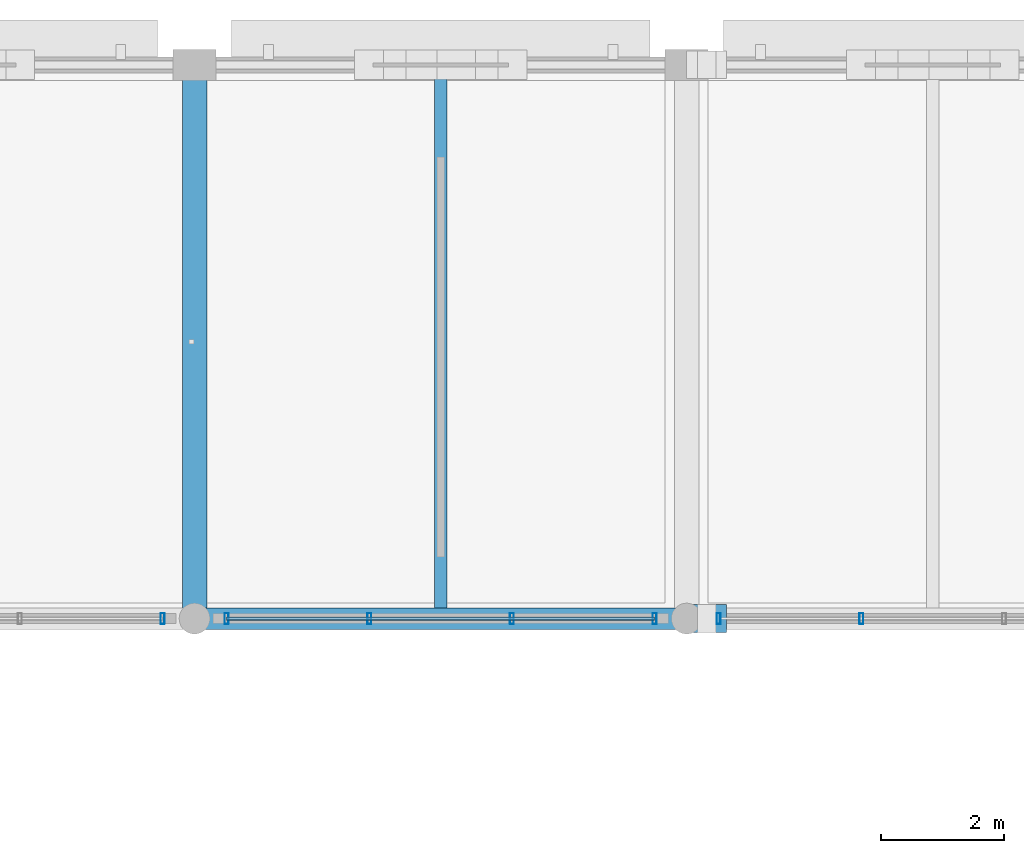
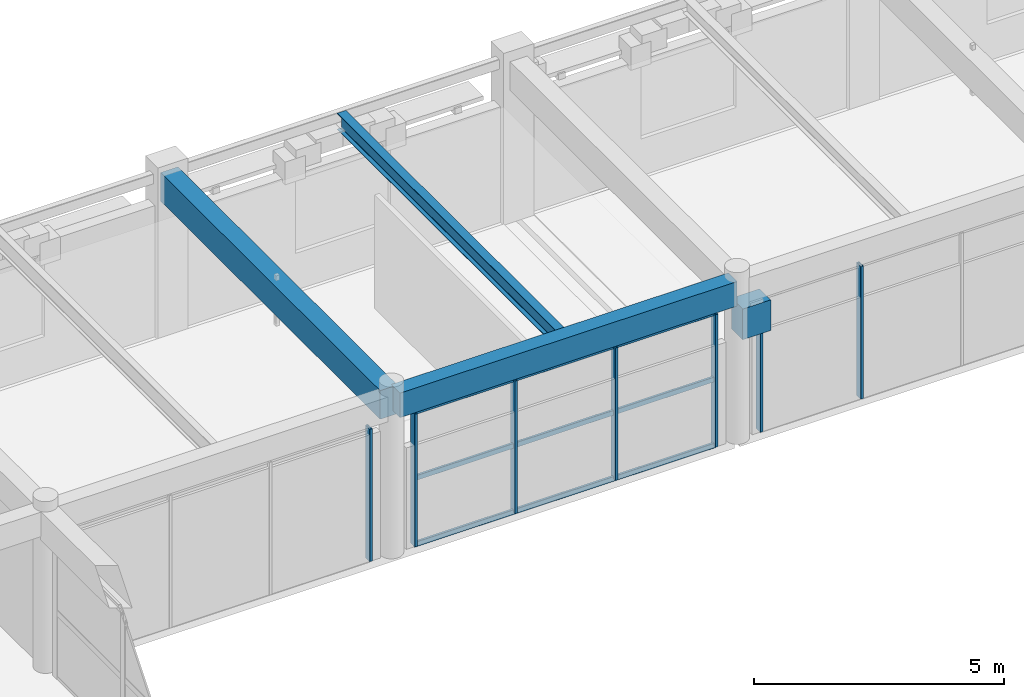
# One storey, part 57 of 126: 10 members, 4 beams, 3 elements without a shape of their own.
"""IFC4 building model written with IfcOpenShell, lengths in metres."""

from ifc_helpers import new_model, si_unit, direction, frame, origin, origin_2d, place, context, subcontext, project, spatial, rectangle, hollow_rectangle, i_section, extrude, material, material_profile, profile_set, type_object, element, aggregate, save


model = new_model("IFC4")

# Units and contexts
model_context = context("Model", 3, precision=1e-05, world=origin(), true_north=direction((0.0, 1.0)))
body_context = subcontext(model_context, "Body", "Model", "MODEL_VIEW")
ifc_project = project(units=[si_unit("LENGTHUNIT", "METRE"), si_unit("AREAUNIT", "SQUARE_METRE"), si_unit("VOLUMEUNIT", "CUBIC_METRE"), si_unit("PLANEANGLEUNIT", "RADIAN"), si_unit("MASSUNIT", "GRAM", prefix="KILO")], contexts=[model_context])

# Site, building, storey
site_placement = place(None, origin())
site = spatial("IfcSite", under=ifc_project, at=site_placement, CompositionType="ELEMENT")
building_placement = place(site_placement, origin())
building = spatial("IfcBuilding", under=site, at=building_placement, Name="Varnabhumi Central Station", CompositionType="ELEMENT")
storey_placement = place(building_placement, frame((0.0, 0.0, 16.199951171875)))
storey = spatial("IfcBuildingStorey", under=building, at=storey_placement, Name="L03", CompositionType="ELEMENT", Elevation=16.199951171875)

# Beams
ifc_material_1 = material(Name="Concrete M40", Category="concrete")
ifc_material_profile_1 = material_profile(ifc_material_1, rectangle(XDim=0.35009765625, YDim=0.60009765625, at=origin_2d()), Name="Concrete M40", Category="concrete")
ifc_profile_set_1 = profile_set([ifc_material_profile_1], Name="Concrete M40")
beam_type_1 = type_object("IfcBeamType", Name="BM-RC-350x600", PredefinedType="BEAM", material=ifc_profile_set_1)
beam_1_placement = place(storey_placement, frame((56.10009765625, 107.0, 3.650146484375), z_axis=(1.0, 0.0, 0.0), x_axis=(0.0, 1.0, 0.0)))
element("IfcBeam", 1, at=beam_1_placement, inside=storey, type_object=beam_type_1, Name="Beam L03-N:8-9", PredefinedType="BEAM", context=body_context, shape_type="SweptSolid", body=[
    extrude(rectangle(XDim=0.35009765625, YDim=0.60009765625, at=origin_2d()), origin(), (0.0, 0.0, 1.0), 7.7998046875),
])
ifc_material_profile_2 = material_profile(ifc_material_1, rectangle(XDim=0.449951171875, YDim=0.75, at=origin_2d()), Name="Concrete M40", Category="concrete")
ifc_profile_set_2 = profile_set([ifc_material_profile_2], Name="Concrete M40")
beam_type_2 = type_object("IfcBeamType", Name="BM-RC-450x750", PredefinedType="BEAM", material=ifc_profile_set_2)
beam_2_placement = place(storey_placement, frame((64.0, 107.0, 2.89501953125), z_axis=(1.0, 0.0, 0.0), x_axis=(0.0, 1.0, 0.0)))
element("IfcBeam", 2, at=beam_2_placement, inside=storey, type_object=beam_type_2, Name="Movement Joint 650mm Corbel Seat L03-N-9", PredefinedType="BEAM", context=body_context, shape_type="SweptSolid", body=[
    extrude(rectangle(XDim=0.449951171875, YDim=0.75, at=origin_2d()), origin(), (0.0, 0.0, 1.0), 0.64990234375),
])
ifc_material_profile_3 = material_profile(ifc_material_1, rectangle(XDim=0.39990234375, YDim=0.699951171875, at=origin_2d()), Name="Concrete M40", Category="concrete")
ifc_profile_set_3 = profile_set([ifc_material_profile_3], Name="Concrete M40")
beam_type_3 = type_object("IfcBeamType", Name="BM-RC-700x400", PredefinedType="BEAM", material=ifc_profile_set_3)
beam_3_placement = place(storey_placement, frame((56.0, 107.10009765625, 3.60009765625), z_axis=(0.0, 1.0, 0.0), x_axis=(-1.0, 0.0, 0.0)))
element("IfcBeam", 3, at=beam_3_placement, inside=storey, type_object=beam_type_3, Name="Beam L03-8:N-P", PredefinedType="BEAM", context=body_context, shape_type="SweptSolid", body=[
    extrude(rectangle(XDim=0.39990234375, YDim=0.699951171875, at=origin_2d()), origin(), (0.0, 0.0, 1.0), 8.7998046875),
])
ifc_material_2 = material(Name="Structural steel E350", Category="steel")
ifc_material_profile_4 = material_profile(ifc_material_2, i_section(OverallWidth=0.199951171875, OverallDepth=0.39990234375, WebThickness=0.008544921875, FlangeThickness=0.012939453125, FilletRadius=0.012939453125, at=origin_2d()), Name="Structural steel E350", Category="steel")
ifc_profile_set_4 = profile_set([ifc_material_profile_4], Name="Structural steel E350")
beam_type_4 = type_object("IfcBeamType", Name="BM-SEC-ISWB400", PredefinedType="JOIST", material=ifc_profile_set_4)
beam_4_placement = place(storey_placement, frame((60.0, 107.175048828125, 3.75), z_axis=(0.0, 1.0, 0.0), x_axis=(-1.0, 0.0, 0.0)))
element("IfcBeam", 4, at=beam_4_placement, inside=storey, type_object=beam_type_4, Name="Secondary Joist L03-8/9:N-P", PredefinedType="JOIST", context=body_context, shape_type="SweptSolid", body=[
    extrude(i_section(OverallWidth=0.199951171875, OverallDepth=0.39990234375, WebThickness=0.008544921875, FlangeThickness=0.012939453125, FilletRadius=0.012939453125, at=origin_2d()), origin(), (0.0, 0.0, 1.0), 8.75),
])

# Curtain wall, member
ifc_material_3 = material(Name="Anodised aluminium 6063-T6", Category="aluminium")
curtain_wall_type = type_object("IfcCurtainWallType", Name="CW-PATIO-LOGGIA-L3", PredefinedType="NOTDEFINED", material=ifc_material_3)
curtain_wall_1_placement = place(storey_placement, origin())
curtain_wall_1 = element("IfcCurtainWall", 5, at=curtain_wall_1_placement, inside=storey, type_object=curtain_wall_type, Name="Curtain Wall CW-NP3N1", PredefinedType="NOTDEFINED")
ifc_material_profile_5 = material_profile(ifc_material_3, hollow_rectangle(XDim=0.06494140625, YDim=0.179931640625, WallThickness=0.00390625, InnerFilletRadius=0.001953125, OuterFilletRadius=0.006103515625, at=origin_2d()), Name="Anodised aluminium 6063-T6", Category="aluminium")
ifc_profile_set_5 = profile_set([ifc_material_profile_5], Name="Anodised aluminium 6063-T6")
member_type_1 = type_object("IfcMemberType", Name="CW-MUL-180", PredefinedType="MULLION", material=ifc_profile_set_5)
member_1_placement = place(storey_placement, frame((55.47998046875, 107.0, 0.0), z_axis=(0.0, 0.0, 1.0), x_axis=(1.0, 0.0, 0.0)))
member_1 = element("IfcMember", 6, at=member_1_placement, type_object=member_type_1, Name="Curtain Wall Mullion CW-NP3N1-M4", PredefinedType="MULLION", context=body_context, shape_type="SweptSolid", body=[
    extrude(hollow_rectangle(XDim=0.06494140625, YDim=0.179931640625, WallThickness=0.00390625, InnerFilletRadius=0.001953125, OuterFilletRadius=0.006103515625, at=origin_2d()), origin(), (0.0, 0.0, 1.0), 3.239990234375),
])
aggregate(curtain_wall_1, [member_1])

# Curtain wall, members
curtain_wall_2_placement = place(storey_placement, origin())
curtain_wall_2 = element("IfcCurtainWall", 7, at=curtain_wall_2_placement, inside=storey, type_object=curtain_wall_type, Name="Curtain Wall CW-NP3N2", PredefinedType="NOTDEFINED")
member_2_placement = place(storey_placement, frame((56.52001953125, 107.0, 0.0), z_axis=(0.0, 0.0, 1.0), x_axis=(1.0, 0.0, 0.0)))
member_2 = element("IfcMember", 8, at=member_2_placement, type_object=member_type_1, Name="Curtain Wall Mullion CW-NP3N2-M1", PredefinedType="MULLION", context=body_context, shape_type="SweptSolid", body=[
    extrude(hollow_rectangle(XDim=0.06494140625, YDim=0.179931640625, WallThickness=0.00390625, InnerFilletRadius=0.001953125, OuterFilletRadius=0.006103515625, at=origin_2d()), origin(), (0.0, 0.0, 1.0), 3.239990234375),
])
member_3_placement = place(storey_placement, frame((58.840087890625, 107.0, 0.0), z_axis=(0.0, 0.0, 1.0), x_axis=(1.0, 0.0, 0.0)))
member_3 = element("IfcMember", 9, at=member_3_placement, type_object=member_type_1, Name="Curtain Wall Mullion CW-NP3N2-M2", PredefinedType="MULLION", context=body_context, shape_type="SweptSolid", body=[
    extrude(hollow_rectangle(XDim=0.06494140625, YDim=0.179931640625, WallThickness=0.00390625, InnerFilletRadius=0.001953125, OuterFilletRadius=0.006103515625, at=origin_2d()), origin(), (0.0, 0.0, 1.0), 3.239990234375),
])
member_4_placement = place(storey_placement, frame((61.159912109375, 107.0, 0.0), z_axis=(0.0, 0.0, 1.0), x_axis=(1.0, 0.0, 0.0)))
member_4 = element("IfcMember", 10, at=member_4_placement, type_object=member_type_1, Name="Curtain Wall Mullion CW-NP3N2-M3", PredefinedType="MULLION", context=body_context, shape_type="SweptSolid", body=[
    extrude(hollow_rectangle(XDim=0.06494140625, YDim=0.179931640625, WallThickness=0.00390625, InnerFilletRadius=0.001953125, OuterFilletRadius=0.006103515625, at=origin_2d()), origin(), (0.0, 0.0, 1.0), 3.239990234375),
])
member_5_placement = place(storey_placement, frame((63.47998046875, 107.0, 0.0), z_axis=(0.0, 0.0, 1.0), x_axis=(1.0, 0.0, 0.0)))
member_5 = element("IfcMember", 11, at=member_5_placement, type_object=member_type_1, Name="Curtain Wall Mullion CW-NP3N2-M4", PredefinedType="MULLION", context=body_context, shape_type="SweptSolid", body=[
    extrude(hollow_rectangle(XDim=0.06494140625, YDim=0.179931640625, WallThickness=0.00390625, InnerFilletRadius=0.001953125, OuterFilletRadius=0.006103515625, at=origin_2d()), origin(), (0.0, 0.0, 1.0), 3.239990234375),
])

curtain_wall_3_placement = place(storey_placement, origin())
curtain_wall_3 = element("IfcCurtainWall", 12, at=curtain_wall_3_placement, inside=storey, type_object=curtain_wall_type, Name="Curtain Wall CW-NP3N3", PredefinedType="NOTDEFINED")
member_6_placement = place(storey_placement, frame((64.52001953125, 107.0, 0.0), z_axis=(0.0, 0.0, 1.0), x_axis=(1.0, 0.0, 0.0)))
member_6 = element("IfcMember", 13, at=member_6_placement, type_object=member_type_1, Name="Curtain Wall Mullion CW-NP3N3-M1", PredefinedType="MULLION", context=body_context, shape_type="SweptSolid", body=[
    extrude(hollow_rectangle(XDim=0.06494140625, YDim=0.179931640625, WallThickness=0.00390625, InnerFilletRadius=0.001953125, OuterFilletRadius=0.006103515625, at=origin_2d()), origin(), (0.0, 0.0, 1.0), 3.239990234375),
])
member_7_placement = place(storey_placement, frame((66.840087890625, 107.0, 0.0), z_axis=(0.0, 0.0, 1.0), x_axis=(1.0, 0.0, 0.0)))
member_7 = element("IfcMember", 14, at=member_7_placement, type_object=member_type_1, Name="Curtain Wall Mullion CW-NP3N3-M2", PredefinedType="MULLION", context=body_context, shape_type="SweptSolid", body=[
    extrude(hollow_rectangle(XDim=0.06494140625, YDim=0.179931640625, WallThickness=0.00390625, InnerFilletRadius=0.001953125, OuterFilletRadius=0.006103515625, at=origin_2d()), origin(), (0.0, 0.0, 1.0), 3.239990234375),
])
aggregate(curtain_wall_3, [member_6, member_7])

# Member
ifc_material_profile_6 = material_profile(ifc_material_3, hollow_rectangle(XDim=0.054931640625, YDim=0.1201171875, WallThickness=0.00341796875, InnerFilletRadius=0.00146484375, OuterFilletRadius=0.0048828125, at=origin_2d()), Name="Anodised aluminium 6063-T6", Category="aluminium")
ifc_profile_set_6 = profile_set([ifc_material_profile_6], Name="Anodised aluminium 6063-T6")
member_type_2 = type_object("IfcMemberType", Name="CW-TR-120", PredefinedType="USERDEFINED", material=ifc_profile_set_6)
member_8_placement = place(storey_placement, frame((56.52001953125, 107.0, 0.0), z_axis=(1.0, 0.0, 0.0), x_axis=(0.0, 1.0, 0.0)))
member_8 = element("IfcMember", 15, at=member_8_placement, type_object=member_type_2, Name="Curtain Wall Transom CW-NP3N2-T1", ObjectType="TRANSOM", PredefinedType="USERDEFINED", context=body_context, shape_type="SweptSolid", body=[
    extrude(hollow_rectangle(XDim=0.054931640625, YDim=0.1201171875, WallThickness=0.00341796875, InnerFilletRadius=0.00146484375, OuterFilletRadius=0.0048828125, at=origin_2d()), origin(), (0.0, 0.0, 1.0), 6.9599609375),
])

member_9_placement = place(storey_placement, frame((56.52001953125, 107.0, 1.6201171875), z_axis=(1.0, 0.0, 0.0), x_axis=(0.0, 1.0, 0.0)))
member_9 = element("IfcMember", 16, at=member_9_placement, type_object=member_type_2, Name="Curtain Wall Transom CW-NP3N2-T2", ObjectType="TRANSOM", PredefinedType="USERDEFINED", context=body_context, shape_type="SweptSolid", body=[
    extrude(hollow_rectangle(XDim=0.054931640625, YDim=0.1201171875, WallThickness=0.00341796875, InnerFilletRadius=0.00146484375, OuterFilletRadius=0.0048828125, at=origin_2d()), origin(), (0.0, 0.0, 1.0), 6.9599609375),
])

member_10_placement = place(storey_placement, frame((56.52001953125, 107.0, 3.239990234375), z_axis=(1.0, 0.0, 0.0), x_axis=(0.0, 1.0, 0.0)))
member_10 = element("IfcMember", 17, at=member_10_placement, type_object=member_type_2, Name="Curtain Wall Transom CW-NP3N2-T3", ObjectType="TRANSOM", PredefinedType="USERDEFINED", context=body_context, shape_type="SweptSolid", body=[
    extrude(hollow_rectangle(XDim=0.054931640625, YDim=0.1201171875, WallThickness=0.00341796875, InnerFilletRadius=0.00146484375, OuterFilletRadius=0.0048828125, at=origin_2d()), origin(), (0.0, 0.0, 1.0), 6.9599609375),
])

aggregate(curtain_wall_2, [member_2, member_3, member_4, member_5, member_8, member_9, member_10])

save(model, "model.ifc")
